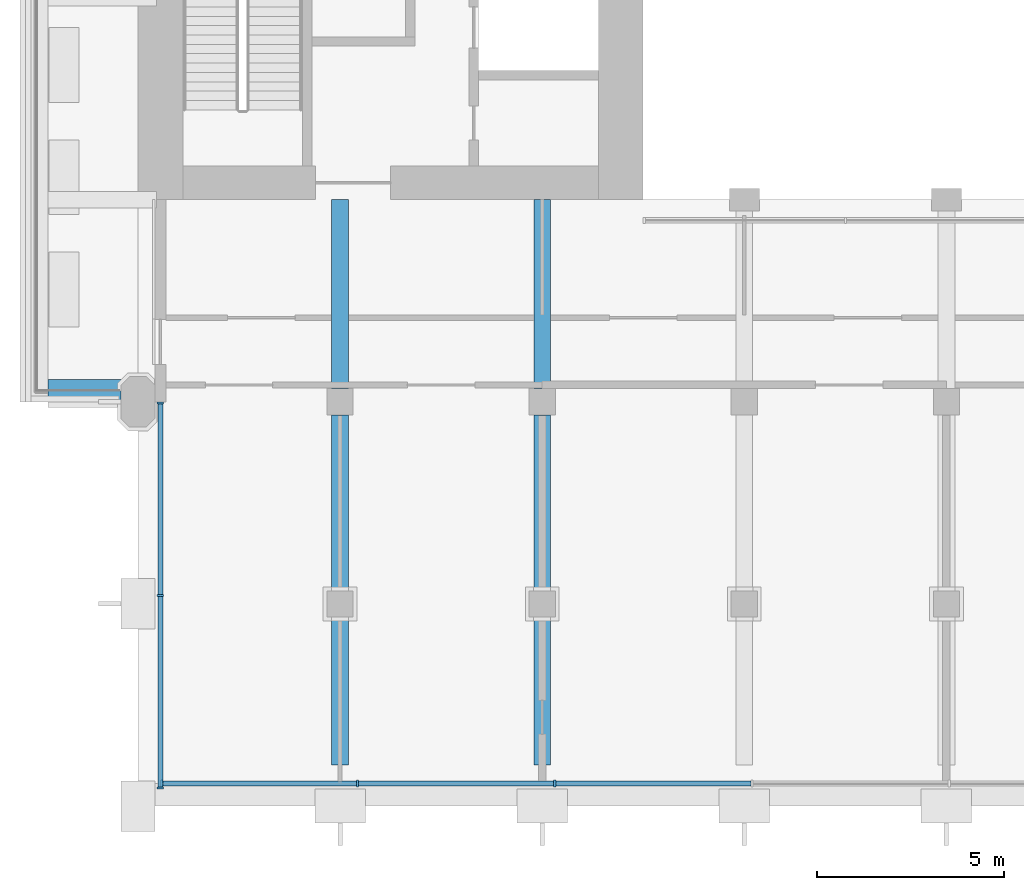
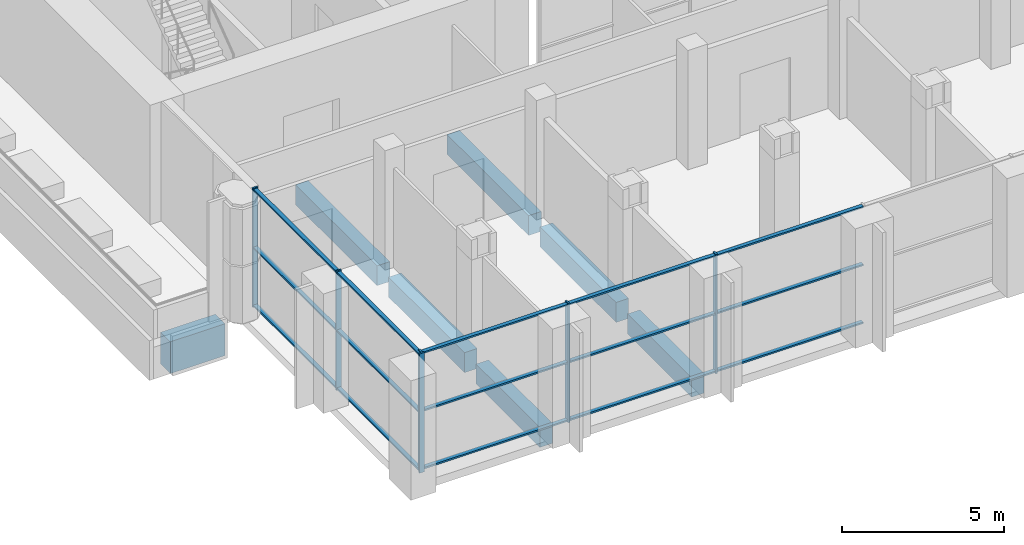
# One storey, part 2 of 14: 21 members, 7 beams, 2 elements without a shape of their own.
"""IFC4 building model written with IfcOpenShell, lengths in metres."""

from ifc_helpers import new_model, si_unit, direction, frame, origin, origin_2d, place, context, subcontext, project, spatial, rectangle, extrude, material, material_profile, profile_set, type_object, element, aggregate, save


model = new_model("IFC4")

# Units and contexts
model_context = context("Model", 3, precision=1e-05, world=origin(), true_north=direction((0.0, 1.0)))
body_context = subcontext(model_context, "Body", "Model", "MODEL_VIEW")
ifc_project = project(units=[si_unit("LENGTHUNIT", "METRE"), si_unit("AREAUNIT", "SQUARE_METRE"), si_unit("VOLUMEUNIT", "CUBIC_METRE"), si_unit("PLANEANGLEUNIT", "RADIAN"), si_unit("MASSUNIT", "GRAM", prefix="KILO")], contexts=[model_context])

# Site, building, storey
site_placement = place(None, origin())
site = spatial("IfcSite", under=ifc_project, at=site_placement, CompositionType="ELEMENT")
building_placement = place(site_placement, origin())
building = spatial("IfcBuilding", under=site, at=building_placement, Name="Tabaq Tower and Sports Hall", CompositionType="ELEMENT")
storey_placement = place(building_placement, frame((0.0, 0.0, 250.89990234375)))
storey = spatial("IfcBuildingStorey", under=building, at=storey_placement, Name="L61", CompositionType="ELEMENT", Elevation=250.89990234375)

# Curtain wall, members
ifc_material_1 = material(Name="Aluminium alloy 6063-T6 framed glazing", Category="aluminium")
curtain_wall_type = type_object("IfcCurtainWallType", Name="CW3 curtain wall", PredefinedType="USERDEFINED", material=ifc_material_1)
curtain_wall_1_placement = place(storey_placement, origin())
curtain_wall_1 = element("IfcCurtainWall", 1, at=curtain_wall_1_placement, inside=storey, type_object=curtain_wall_type, Name="Garden Floor Wall L61 S", ObjectType="GARDEN FLOOR WALL", PredefinedType="USERDEFINED")
ifc_material_2 = material(Name="Aluminium alloy 6063-T6", Category="aluminium")
ifc_material_profile_1 = material_profile(ifc_material_2, rectangle(XDim=0.179931640625, YDim=0.06005859375, at=origin_2d()), Name="MULLION 180x60")
ifc_profile_set_1 = profile_set([ifc_material_profile_1], Name="Aluminium alloy 6063-T6")
member_type_1 = type_object("IfcMemberType", Name="CW3 mullion 180x60", PredefinedType="MULLION", material=ifc_profile_set_1)
member_1_placement = place(storey_placement, frame((6.030029296875, 0.60009765625, 0.0), z_axis=(0.0, 0.0, 1.0), x_axis=(0.0, 1.0, 0.0)))
member_1 = element("IfcMember", 2, at=member_1_placement, type_object=member_type_1, Name="CW3 mullion 1", PredefinedType="MULLION", context=body_context, shape_type="SweptSolid", body=[
    extrude(rectangle(XDim=0.179931640625, YDim=0.06005859375, at=origin_2d()), origin(), (0.0, 0.0, 1.0), 4.5),
])
member_2_placement = place(storey_placement, frame((11.26904296875, 0.60009765625, 0.0), z_axis=(0.0, 0.0, 1.0), x_axis=(0.0, 1.0, 0.0)))
member_2 = element("IfcMember", 3, at=member_2_placement, type_object=member_type_1, Name="CW3 mullion 2", PredefinedType="MULLION", context=body_context, shape_type="SweptSolid", body=[
    extrude(rectangle(XDim=0.179931640625, YDim=0.06005859375, at=origin_2d()), origin(), (0.0, 0.0, 1.0), 4.5),
])
member_3_placement = place(storey_placement, frame((16.537841796875, 0.60009765625, 0.0), z_axis=(0.0, 0.0, 1.0), x_axis=(0.0, 1.0, 0.0)))
member_3 = element("IfcMember", 4, at=member_3_placement, type_object=member_type_1, Name="CW3 mullion 3", PredefinedType="MULLION", context=body_context, shape_type="SweptSolid", body=[
    extrude(rectangle(XDim=0.179931640625, YDim=0.06005859375, at=origin_2d()), origin(), (0.0, 0.0, 1.0), 4.5),
])

curtain_wall_2_placement = place(storey_placement, origin())
curtain_wall_2 = element("IfcCurtainWall", 5, at=curtain_wall_2_placement, inside=storey, type_object=curtain_wall_type, Name="Garden Floor Wall L61 W", ObjectType="GARDEN FLOOR WALL", PredefinedType="USERDEFINED")
member_4_placement = place(storey_placement, frame((6.0, 10.77001953125, 0.0), z_axis=(0.0, 0.0, 1.0), x_axis=(1.0, 0.0, 0.0)))
member_4 = element("IfcMember", 6, at=member_4_placement, type_object=member_type_1, Name="CW3 mullion 1", PredefinedType="MULLION", context=body_context, shape_type="SweptSolid", body=[
    extrude(rectangle(XDim=0.179931640625, YDim=0.06005859375, at=origin_2d()), origin(), (0.0, 0.0, 1.0), 4.5),
])
member_5_placement = place(storey_placement, frame((6.0, 5.625, 0.0), z_axis=(0.0, 0.0, 1.0), x_axis=(1.0, 0.0, 0.0)))
member_5 = element("IfcMember", 7, at=member_5_placement, type_object=member_type_1, Name="CW3 mullion 2", PredefinedType="MULLION", context=body_context, shape_type="SweptSolid", body=[
    extrude(rectangle(XDim=0.179931640625, YDim=0.06005859375, at=origin_2d()), origin(), (0.0, 0.0, 1.0), 4.5),
])
member_6_placement = place(storey_placement, frame((6.0, 0.47998046875, 0.0), z_axis=(0.0, 0.0, 1.0), x_axis=(1.0, 0.0, 0.0)))
member_6 = element("IfcMember", 8, at=member_6_placement, type_object=member_type_1, Name="CW3 mullion 3", PredefinedType="MULLION", context=body_context, shape_type="SweptSolid", body=[
    extrude(rectangle(XDim=0.179931640625, YDim=0.06005859375, at=origin_2d()), origin(), (0.0, 0.0, 1.0), 4.5),
])

# Member
ifc_material_3 = material(Name="Aluminium alloy 6063-T6", Category="aluminium")
ifc_material_profile_2 = material_profile(ifc_material_3, rectangle(XDim=0.139892578125, YDim=0.06005859375, at=origin_2d()), Name="TRANSOM 140x60")
ifc_profile_set_2 = profile_set([ifc_material_profile_2], Name="Aluminium alloy 6063-T6")
member_type_2 = type_object("IfcMemberType", Name="CW3 transom 140x60", PredefinedType="USERDEFINED", material=ifc_profile_set_2)
member_7_placement = place(storey_placement, frame((6.06005859375, 0.60009765625, 0.070068359375), z_axis=(1.0, 0.0, 0.0), x_axis=(0.0, 1.0, 0.0)))
member_7 = element("IfcMember", 9, at=member_7_placement, type_object=member_type_2, Name="CW3 transom 1.1", ObjectType="TRANSOM", PredefinedType="USERDEFINED", context=body_context, shape_type="SweptSolid", body=[
    extrude(rectangle(XDim=0.139892578125, YDim=0.06005859375, at=origin_2d()), origin(), (0.0, 0.0, 1.0), 5.178955078125),
])

member_8_placement = place(storey_placement, frame((6.06005859375, 0.60009765625, 2.25), z_axis=(1.0, 0.0, 0.0), x_axis=(0.0, 1.0, 0.0)))
member_8 = element("IfcMember", 10, at=member_8_placement, type_object=member_type_2, Name="CW3 transom 1.2", ObjectType="TRANSOM", PredefinedType="USERDEFINED", context=body_context, shape_type="SweptSolid", body=[
    extrude(rectangle(XDim=0.139892578125, YDim=0.06005859375, at=origin_2d()), origin(), (0.0, 0.0, 1.0), 5.178955078125),
])

member_9_placement = place(storey_placement, frame((6.06005859375, 0.60009765625, 4.43017578125), z_axis=(1.0, 0.0, 0.0), x_axis=(0.0, 1.0, 0.0)))
member_9 = element("IfcMember", 11, at=member_9_placement, type_object=member_type_2, Name="CW3 transom 1.3", ObjectType="TRANSOM", PredefinedType="USERDEFINED", context=body_context, shape_type="SweptSolid", body=[
    extrude(rectangle(XDim=0.139892578125, YDim=0.06005859375, at=origin_2d()), origin(), (0.0, 0.0, 1.0), 5.178955078125),
])

member_10_placement = place(storey_placement, frame((11.298828125, 0.60009765625, 0.070068359375), z_axis=(1.0, 0.0, 0.0), x_axis=(0.0, 1.0, 0.0)))
member_10 = element("IfcMember", 12, at=member_10_placement, type_object=member_type_2, Name="CW3 transom 2.1", ObjectType="TRANSOM", PredefinedType="USERDEFINED", context=body_context, shape_type="SweptSolid", body=[
    extrude(rectangle(XDim=0.139892578125, YDim=0.06005859375, at=origin_2d()), origin(), (0.0, 0.0, 1.0), 5.208984375),
])

member_11_placement = place(storey_placement, frame((11.298828125, 0.60009765625, 2.25), z_axis=(1.0, 0.0, 0.0), x_axis=(0.0, 1.0, 0.0)))
member_11 = element("IfcMember", 13, at=member_11_placement, type_object=member_type_2, Name="CW3 transom 2.2", ObjectType="TRANSOM", PredefinedType="USERDEFINED", context=body_context, shape_type="SweptSolid", body=[
    extrude(rectangle(XDim=0.139892578125, YDim=0.06005859375, at=origin_2d()), origin(), (0.0, 0.0, 1.0), 5.208984375),
])

member_12_placement = place(storey_placement, frame((11.298828125, 0.60009765625, 4.43017578125), z_axis=(1.0, 0.0, 0.0), x_axis=(0.0, 1.0, 0.0)))
member_12 = element("IfcMember", 14, at=member_12_placement, type_object=member_type_2, Name="CW3 transom 2.3", ObjectType="TRANSOM", PredefinedType="USERDEFINED", context=body_context, shape_type="SweptSolid", body=[
    extrude(rectangle(XDim=0.139892578125, YDim=0.06005859375, at=origin_2d()), origin(), (0.0, 0.0, 1.0), 5.208984375),
])

member_13_placement = place(storey_placement, frame((16.56787109375, 0.60009765625, 0.070068359375), z_axis=(1.0, 0.0, 0.0), x_axis=(0.0, 1.0, 0.0)))
member_13 = element("IfcMember", 15, at=member_13_placement, type_object=member_type_2, Name="CW3 transom 3.1", ObjectType="TRANSOM", PredefinedType="USERDEFINED", context=body_context, shape_type="SweptSolid", body=[
    extrude(rectangle(XDim=0.139892578125, YDim=0.06005859375, at=origin_2d()), origin(), (0.0, 0.0, 1.0), 5.208984375),
])

member_14_placement = place(storey_placement, frame((16.56787109375, 0.60009765625, 2.25), z_axis=(1.0, 0.0, 0.0), x_axis=(0.0, 1.0, 0.0)))
member_14 = element("IfcMember", 16, at=member_14_placement, type_object=member_type_2, Name="CW3 transom 3.2", ObjectType="TRANSOM", PredefinedType="USERDEFINED", context=body_context, shape_type="SweptSolid", body=[
    extrude(rectangle(XDim=0.139892578125, YDim=0.06005859375, at=origin_2d()), origin(), (0.0, 0.0, 1.0), 5.208984375),
])

member_15_placement = place(storey_placement, frame((16.56787109375, 0.60009765625, 4.43017578125), z_axis=(1.0, 0.0, 0.0), x_axis=(0.0, 1.0, 0.0)))
member_15 = element("IfcMember", 17, at=member_15_placement, type_object=member_type_2, Name="CW3 transom 3.3", ObjectType="TRANSOM", PredefinedType="USERDEFINED", context=body_context, shape_type="SweptSolid", body=[
    extrude(rectangle(XDim=0.139892578125, YDim=0.06005859375, at=origin_2d()), origin(), (0.0, 0.0, 1.0), 5.208984375),
])

aggregate(curtain_wall_1, [member_1, member_2, member_3, member_7, member_8, member_9, member_10, member_11, member_12, member_13, member_14, member_15])

member_16_placement = place(storey_placement, frame((6.0, 10.739990234375, 0.070068359375), z_axis=(0.0, -1.0, 0.0), x_axis=(1.0, 0.0, 0.0)))
member_16 = element("IfcMember", 18, at=member_16_placement, type_object=member_type_2, Name="CW3 transom 1.1", ObjectType="TRANSOM", PredefinedType="USERDEFINED", context=body_context, shape_type="SweptSolid", body=[
    extrude(rectangle(XDim=0.139892578125, YDim=0.06005859375, at=origin_2d()), origin(), (0.0, 0.0, 1.0), 5.0849609375),
])

member_17_placement = place(storey_placement, frame((6.0, 10.739990234375, 2.25), z_axis=(0.0, -1.0, 0.0), x_axis=(1.0, 0.0, 0.0)))
member_17 = element("IfcMember", 19, at=member_17_placement, type_object=member_type_2, Name="CW3 transom 1.2", ObjectType="TRANSOM", PredefinedType="USERDEFINED", context=body_context, shape_type="SweptSolid", body=[
    extrude(rectangle(XDim=0.139892578125, YDim=0.06005859375, at=origin_2d()), origin(), (0.0, 0.0, 1.0), 5.0849609375),
])

member_18_placement = place(storey_placement, frame((6.0, 10.739990234375, 4.43017578125), z_axis=(0.0, -1.0, 0.0), x_axis=(1.0, 0.0, 0.0)))
member_18 = element("IfcMember", 20, at=member_18_placement, type_object=member_type_2, Name="CW3 transom 1.3", ObjectType="TRANSOM", PredefinedType="USERDEFINED", context=body_context, shape_type="SweptSolid", body=[
    extrude(rectangle(XDim=0.139892578125, YDim=0.06005859375, at=origin_2d()), origin(), (0.0, 0.0, 1.0), 5.0849609375),
])

member_19_placement = place(storey_placement, frame((6.0, 5.594970703125, 0.070068359375), z_axis=(0.0, -1.0, 0.0), x_axis=(1.0, 0.0, 0.0)))
member_19 = element("IfcMember", 21, at=member_19_placement, type_object=member_type_2, Name="CW3 transom 2.1", ObjectType="TRANSOM", PredefinedType="USERDEFINED", context=body_context, shape_type="SweptSolid", body=[
    extrude(rectangle(XDim=0.139892578125, YDim=0.06005859375, at=origin_2d()), origin(), (0.0, 0.0, 1.0), 5.0849609375),
])

member_20_placement = place(storey_placement, frame((6.0, 5.594970703125, 2.25), z_axis=(0.0, -1.0, 0.0), x_axis=(1.0, 0.0, 0.0)))
member_20 = element("IfcMember", 22, at=member_20_placement, type_object=member_type_2, Name="CW3 transom 2.2", ObjectType="TRANSOM", PredefinedType="USERDEFINED", context=body_context, shape_type="SweptSolid", body=[
    extrude(rectangle(XDim=0.139892578125, YDim=0.06005859375, at=origin_2d()), origin(), (0.0, 0.0, 1.0), 5.0849609375),
])

member_21_placement = place(storey_placement, frame((6.0, 5.594970703125, 4.43017578125), z_axis=(0.0, -1.0, 0.0), x_axis=(1.0, 0.0, 0.0)))
member_21 = element("IfcMember", 23, at=member_21_placement, type_object=member_type_2, Name="CW3 transom 2.3", ObjectType="TRANSOM", PredefinedType="USERDEFINED", context=body_context, shape_type="SweptSolid", body=[
    extrude(rectangle(XDim=0.139892578125, YDim=0.06005859375, at=origin_2d()), origin(), (0.0, 0.0, 1.0), 5.0849609375),
])

aggregate(curtain_wall_2, [member_4, member_5, member_6, member_16, member_17, member_18, member_19, member_20, member_21])

# Beams
ifc_material_4 = material(Name="Concrete C40/50", Category="concrete")
ifc_material_profile_3 = material_profile(ifc_material_4, rectangle(XDim=0.60009765625, YDim=1.199951171875, at=origin_2d()), Name="EBT 600x1200")
ifc_profile_set_3 = profile_set([ifc_material_profile_3], Name="Concrete C40/50")
beam_type_1 = type_object("IfcBeamType", Name="Concrete C40/50 PT edge band EBT 600x1200", PredefinedType="BEAM", material=ifc_profile_set_3)
beam_1_placement = place(storey_placement, frame((4.949951171875, 11.10009765625, -0.89990234375), z_axis=(-1.0, 0.0, 0.0), x_axis=(0.0, -1.0, 0.0)))
element("IfcBeam", 24, at=beam_1_placement, inside=storey, type_object=beam_type_1, Name="Tray edge band L61", PredefinedType="BEAM", context=body_context, shape_type="SweptSolid", body=[
    extrude(rectangle(XDim=0.60009765625, YDim=1.199951171875, at=origin_2d()), origin(), (0.0, 0.0, 1.0), 1.949951171875),
])
ifc_material_5 = material(Name="Concrete C40/50", Category="concrete")
ifc_material_profile_4 = material_profile(ifc_material_5, rectangle(XDim=0.449951171875, YDim=0.75, at=origin_2d()), Name="CB 450x750")
ifc_profile_set_4 = profile_set([ifc_material_profile_4], Name="Concrete C40/50")
beam_type_2 = type_object("IfcBeamType", Name="PT CANTILEVER BEAM CB 450x750 C40/50", PredefinedType="BEAM", material=ifc_profile_set_4)
beam_2_placement = place(storey_placement, frame((10.800048828125, 1.10009765625, -0.6748046875), z_axis=(0.0, 1.0, 0.0), x_axis=(-1.0, 0.0, 0.0)))
element("IfcBeam", 25, at=beam_2_placement, inside=storey, type_object=beam_type_2, Name="Cantilever Beam L61 S2 span 1", PredefinedType="BEAM", context=body_context, shape_type="SweptSolid", body=[
    extrude(rectangle(XDim=0.449951171875, YDim=0.75, at=origin_2d()), origin(), (0.0, 0.0, 1.0), 3.949951171875),
])
beam_3_placement = place(storey_placement, frame((10.800048828125, 5.75, -0.6748046875), z_axis=(0.0, 1.0, 0.0), x_axis=(-1.0, 0.0, 0.0)))
element("IfcBeam", 26, at=beam_3_placement, inside=storey, type_object=beam_type_2, Name="Cantilever Beam L61 S2 span 2", PredefinedType="BEAM", context=body_context, shape_type="SweptSolid", body=[
    extrude(rectangle(XDim=0.449951171875, YDim=0.75, at=origin_2d()), origin(), (0.0, 0.0, 1.0), 4.699951171875),
])
beam_4_placement = place(storey_placement, frame((10.800048828125, 11.14990234375, -0.6748046875), z_axis=(0.0, 1.0, 0.0), x_axis=(-1.0, 0.0, 0.0)))
element("IfcBeam", 27, at=beam_4_placement, inside=storey, type_object=beam_type_2, Name="Cantilever Beam L61 S2 span 3", PredefinedType="BEAM", context=body_context, shape_type="SweptSolid", body=[
    extrude(rectangle(XDim=0.449951171875, YDim=0.75, at=origin_2d()), origin(), (0.0, 0.0, 1.0), 5.050048828125),
])
beam_5_placement = place(storey_placement, frame((16.199951171875, 1.10009765625, -0.6748046875), z_axis=(0.0, 1.0, 0.0), x_axis=(-1.0, 0.0, 0.0)))
element("IfcBeam", 28, at=beam_5_placement, inside=storey, type_object=beam_type_2, Name="Cantilever Beam L61 S3 span 1", PredefinedType="BEAM", context=body_context, shape_type="SweptSolid", body=[
    extrude(rectangle(XDim=0.449951171875, YDim=0.75, at=origin_2d()), origin(), (0.0, 0.0, 1.0), 3.949951171875),
])
beam_6_placement = place(storey_placement, frame((16.199951171875, 5.75, -0.6748046875), z_axis=(0.0, 1.0, 0.0), x_axis=(-1.0, 0.0, 0.0)))
element("IfcBeam", 29, at=beam_6_placement, inside=storey, type_object=beam_type_2, Name="Cantilever Beam L61 S3 span 2", PredefinedType="BEAM", context=body_context, shape_type="SweptSolid", body=[
    extrude(rectangle(XDim=0.449951171875, YDim=0.75, at=origin_2d()), origin(), (0.0, 0.0, 1.0), 4.699951171875),
])
beam_7_placement = place(storey_placement, frame((16.199951171875, 11.14990234375, -0.6748046875), z_axis=(0.0, 1.0, 0.0), x_axis=(-1.0, 0.0, 0.0)))
element("IfcBeam", 30, at=beam_7_placement, inside=storey, type_object=beam_type_2, Name="Cantilever Beam L61 S3 span 3", PredefinedType="BEAM", context=body_context, shape_type="SweptSolid", body=[
    extrude(rectangle(XDim=0.449951171875, YDim=0.75, at=origin_2d()), origin(), (0.0, 0.0, 1.0), 5.050048828125),
])

save(model, "model.ifc")
